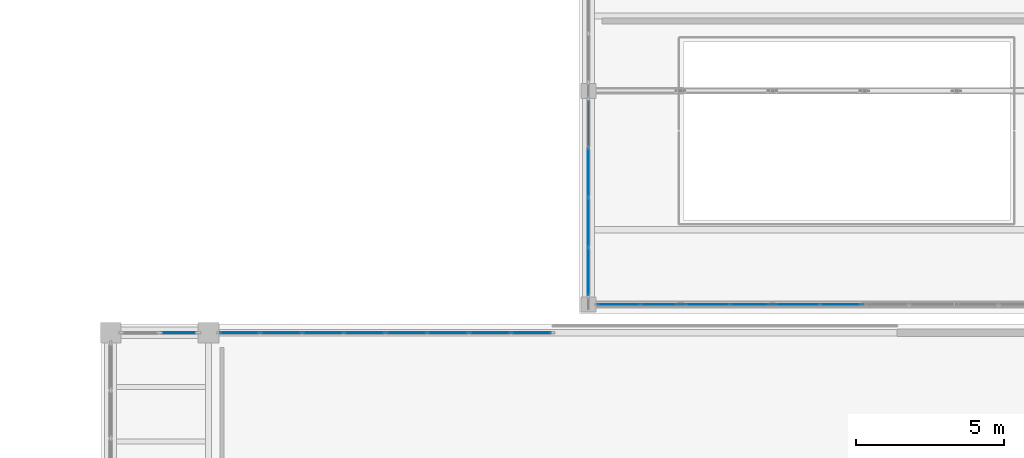
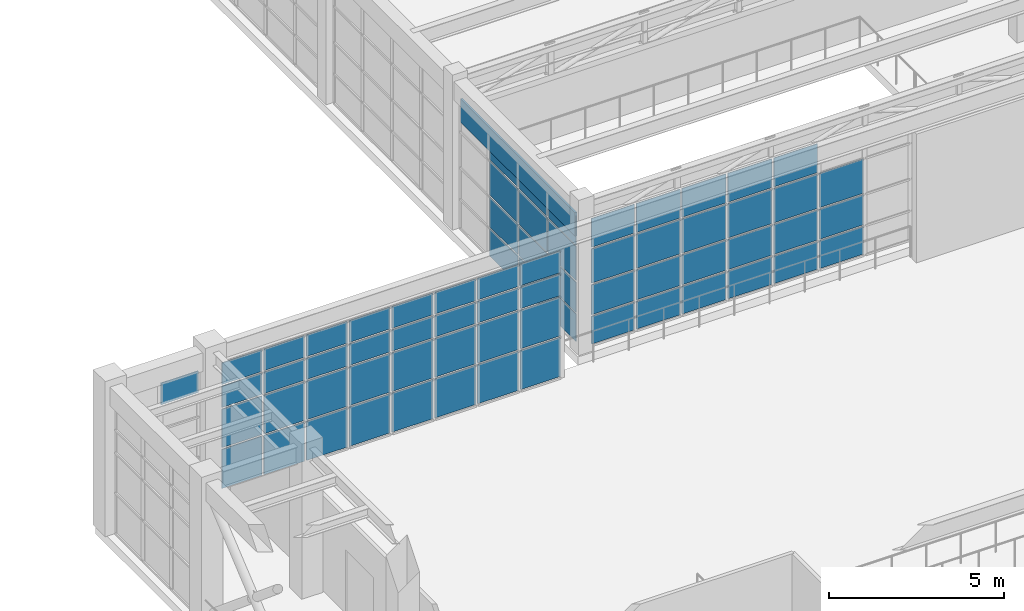
# One storey, part 77 of 103: 69 plates, 4 elements without a shape of their own.
"""IFC4 building model written with IfcOpenShell, lengths in metres."""

import ifcopenshell
import ifcopenshell.guid

model = None  # the IFC model being written
_history = None  # IfcOwnerHistory: only IFC2X3 demands one
_inside = {}  # id of a spatial element -> (the spatial element, [elements in it])
_under = {}  # id of a project, library or spatial element -> (it, [spatial elements below it])
_declared = {}  # id of a project -> (the project, [libraries it declares])
_typed = {}  # id of a type object -> (the type object, [elements of that type])
_made_of = {}  # id of a material, layer set ... -> (it, [elements and type objects made of it])


def new_model(schema):
    """Start an empty IFC model of exactly this schema.

    Asked for "IFC4X3", IfcOpenShell would pick the latest addendum, in which some entities
    have other attributes; the version numbers below select the first issue.
    IFC2X3 requires an IfcOwnerHistory on every rooted entity: one is made here for all.
    """
    global model, _history
    if schema == "IFC4X3":
        model = ifcopenshell.file(schema_version=(4, 3, 0, 0))
    else:
        model = ifcopenshell.file(schema=schema)
    _inside.clear()
    _under.clear()
    _declared.clear()
    _typed.clear()
    _made_of.clear()
    _history = None
    if model.schema == "IFC2X3":
        org = make("IfcOrganization", Name="unknown")
        user = make(
            "IfcPersonAndOrganization",
            ThePerson=make("IfcPerson", FamilyName="unknown"),
            TheOrganization=org,
        )
        app = make(
            "IfcApplication",
            ApplicationDeveloper=org,
            Version="unknown",
            ApplicationFullName="unknown",
            ApplicationIdentifier="unknown",
        )
        _history = make(
            "IfcOwnerHistory",
            OwningUser=user,
            OwningApplication=app,
            ChangeAction="ADDED",
            CreationDate=0,
        )
    return model


def make(cls, **values):
    """One entity of the class cls with the attributes given. An attribute that is None is left unset."""
    return model.create_entity(
        cls, **{name: value for name, value in values.items() if value is not None}
    )


def rooted(cls, **values):
    """An entity with a GlobalId (a new one), such as an element, a storey or a relation."""
    return make(cls, GlobalId=ifcopenshell.guid.new(), OwnerHistory=_history, **values)


def si_unit(unit_type, name, prefix=None):
    """IfcSIUnit, for example si_unit("LENGTHUNIT", "METRE", prefix="MILLI")."""
    return make("IfcSIUnit", UnitType=unit_type, Prefix=prefix, Name=name)


def assignment(units):
    """IfcUnitAssignment: the units of a project."""
    return None if units is None else make("IfcUnitAssignment", Units=units)


def point(xyz):
    """IfcCartesianPoint."""
    return None if xyz is None else make("IfcCartesianPoint", Coordinates=xyz)


def direction(xyz):
    """IfcDirection."""
    return None if xyz is None else make("IfcDirection", DirectionRatios=xyz)


def frame(location, z_axis=None, x_axis=None):
    """IfcAxis2Placement3D, a coordinate frame: its origin and axes. An axis left out is left unset."""
    return make(
        "IfcAxis2Placement3D",
        Location=point(location),
        Axis=direction(z_axis),
        RefDirection=direction(x_axis),
    )


def frame_2d(location, x_axis=None):
    """IfcAxis2Placement2D, a coordinate frame in the plane: its origin and x axis."""
    return make(
        "IfcAxis2Placement2D", Location=point(location), RefDirection=direction(x_axis)
    )


def origin():
    """The frame at (0, 0, 0) with its axes left unset."""
    return frame((0.0, 0.0, 0.0))


def origin_2d():
    """The frame at (0, 0) in the plane with its x axis left unset."""
    return frame_2d((0.0, 0.0))


def place(relative_to, where):
    """IfcLocalPlacement: puts the frame where relative to a parent placement (None: the world)."""
    return make(
        "IfcLocalPlacement", PlacementRelTo=relative_to, RelativePlacement=where
    )


def context(
    kind, dimensions, precision=None, world=None, true_north=None, identifier=None
):
    """IfcGeometricRepresentationContext, for example the 3D "Model" context."""
    return make(
        "IfcGeometricRepresentationContext",
        ContextIdentifier=identifier,
        ContextType=kind,
        CoordinateSpaceDimension=dimensions,
        Precision=precision,
        WorldCoordinateSystem=world,
        TrueNorth=true_north,
    )


def subcontext(parent, identifier, kind, view, scale=None):
    """IfcGeometricRepresentationSubContext, for example "Body" below "Model"."""
    return make(
        "IfcGeometricRepresentationSubContext",
        ContextIdentifier=identifier,
        ContextType=kind,
        ParentContext=parent,
        TargetScale=scale,
        TargetView=view,
    )


def project(units=None, contexts=None):
    """IfcProject with its units and contexts."""
    return rooted(
        "IfcProject",
        Name="project",
        RepresentationContexts=contexts,
        UnitsInContext=assignment(units),
    )


def spatial(cls, under=None, at=None, **own):
    """A site, building, storey or space (cls), placed at a placement, below another one or the project."""
    s = rooted(cls, ObjectPlacement=at, **own)
    if under is not None:
        _under.setdefault(under.id(), (under, []))[1].append(s)
    return s


def profile(cls, at=None, kind="AREA", **sizes):
    """A parametric profile (cls). Its sizes go by their IFC names, for example OverallWidth=200.0."""
    return make(cls, ProfileType=kind, Position=at, **sizes)


def rectangle(**sizes):
    """IfcRectangleProfileDef."""
    return profile("IfcRectangleProfileDef", **sizes)


def extrude(swept, where, along, depth):
    """IfcExtrudedAreaSolid: the profile swept, set in the frame where, extruded along a direction by depth."""
    return make(
        "IfcExtrudedAreaSolid",
        SweptArea=swept,
        Position=where,
        ExtrudedDirection=direction(along),
        Depth=depth,
    )


def shape(context_of_items, identifier, shape_type, items):
    """IfcShapeRepresentation: the items that make up one representation, for example the "Body"."""
    return make(
        "IfcShapeRepresentation",
        ContextOfItems=context_of_items,
        RepresentationIdentifier=identifier,
        RepresentationType=shape_type,
        Items=items,
    )


def material(Name=None, Category=None):
    """IfcMaterial."""
    return make("IfcMaterial", Name=Name, Category=Category)


def layer(
    of_material, thickness, ventilated=None, Name=None, Category=None, Priority=None
):
    """IfcMaterialLayer: one layer of a wall or slab, of a material (None: an air gap)."""
    return make(
        "IfcMaterialLayer",
        Material=of_material,
        LayerThickness=thickness,
        IsVentilated=ventilated,
        Name=Name,
        Category=Category,
        Priority=Priority,
    )


def layer_set(layers, Name=None):
    """IfcMaterialLayerSet."""
    return make("IfcMaterialLayerSet", MaterialLayers=layers, LayerSetName=Name)


def made_of(thing, what):
    """Note that an element or type object is made of a material, layer set ...; save() writes the relation."""
    if what is not None:
        _made_of.setdefault(what.id(), (what, []))[1].append(thing)
    return thing


def type_object(cls, material=None, **own):
    """A type object (cls), such as IfcWallType, which elements share."""
    return made_of(rooted(cls, **own), material)


def element(
    cls,
    number,
    at=None,
    inside=None,
    cuts=None,
    type_object=None,
    material=None,
    context=None,
    identifier="Body",
    shape_type=None,
    held_by="IfcProductDefinitionShape",
    body=None,
    shapes=None,
    **own,
):
    """One element of the class cls, such as IfcWall. Its Tag is "e" and its number.

    at: its placement. inside: the storey or other place that contains it. cuts: it is an
    opening in that element (IfcRelVoidsElement). A single representation is given by context,
    identifier, shape_type and body (its items); several are given by shapes. held_by: the class
    of the entity that holds the representations. save() writes the other relations.
    """
    e = rooted(cls, Tag="e%d" % number, ObjectPlacement=at, **own)
    if body is not None:
        shapes = [shape(context, identifier, shape_type, body)]
    if shapes is not None:
        e.Representation = make(held_by, Representations=shapes)
    if inside is not None:
        _inside.setdefault(inside.id(), (inside, []))[1].append(e)
    if cuts is not None:
        rooted(
            "IfcRelVoidsElement", RelatingBuildingElement=cuts, RelatedOpeningElement=e
        )
    if type_object is not None:
        _typed.setdefault(type_object.id(), (type_object, []))[1].append(e)
    return made_of(e, material)


def aggregate(whole, parts):
    """IfcRelAggregates: a whole, such as a stair, and the parts it consists of."""
    return rooted("IfcRelAggregates", RelatingObject=whole, RelatedObjects=parts)


def save(model, path):
    """Write the relations noted so far, then the file.

    IfcRelAggregates (storeys below a building ...), IfcRelContainedInSpatialStructure (elements
    in a storey), IfcRelDefinesByType, IfcRelAssociatesMaterial and IfcRelDeclares: one each for
    every whole, place, type object, material and project.
    """
    for whole, parts in _under.values():
        aggregate(whole, parts)
    for where, things in _inside.values():
        rooted(
            "IfcRelContainedInSpatialStructure",
            RelatedElements=things,
            RelatingStructure=where,
        )
    for kind, things in _typed.values():
        rooted("IfcRelDefinesByType", RelatedObjects=things, RelatingType=kind)
    for what, things in _made_of.values():
        rooted("IfcRelAssociatesMaterial", RelatedObjects=things, RelatingMaterial=what)
    for by, libraries in _declared.values():
        rooted("IfcRelDeclares", RelatingContext=by, RelatedDefinitions=libraries)
    model.write(path)


model = new_model("IFC4")

# Units and contexts
model_context = context("Model", 3, precision=1e-05, world=origin(), true_north=direction((0.0, 1.0)))
body_context = subcontext(model_context, "Body", "Model", "MODEL_VIEW")
ifc_project = project(units=[si_unit("LENGTHUNIT", "METRE"), si_unit("AREAUNIT", "SQUARE_METRE"), si_unit("VOLUMEUNIT", "CUBIC_METRE"), si_unit("PLANEANGLEUNIT", "RADIAN"), si_unit("MASSUNIT", "GRAM", prefix="KILO")], contexts=[model_context])

# Site, building, storey
site_placement = place(None, origin())
site = spatial("IfcSite", under=ifc_project, at=site_placement, CompositionType="ELEMENT")
building_placement = place(site_placement, origin())
building = spatial("IfcBuilding", under=site, at=building_placement, Name="Candilejo Ridge Gondola Terminal", CompositionType="ELEMENT")
storey_placement = place(building_placement, frame((0.0, 0.0, 9.0)))
storey = spatial("IfcBuildingStorey", under=building, at=storey_placement, Name="L02", CompositionType="ELEMENT", Elevation=9.0)

# Curtain wall, plate
ifc_material_1 = material(Name="Anodised aluminium AA 6063-T6", Category="aluminium")
ifc_layer_1 = layer(ifc_material_1, 0.169921875)
ifc_layer_set_1 = layer_set([ifc_layer_1], Name="ARC-CW-HALL-3800-265X449")
curtain_wall_type_1 = type_object("IfcCurtainWallType", Name="ARC-CW-HALL-3800-265X449", PredefinedType="NOTDEFINED", material=ifc_layer_set_1)
curtain_wall_1_placement = place(storey_placement, origin())
curtain_wall_1 = element("IfcCurtainWall", 1, at=curtain_wall_1_placement, inside=storey, type_object=curtain_wall_type_1, Name="Curtain wall V4 L02-149", PredefinedType="NOTDEFINED")
ifc_material_2 = material(Name="Low-E laminated double glazing 6+12A+6+1.52PVB+6 mm", Category="glass")
ifc_layer_2 = layer(ifc_material_2, 0.028076171875)
ifc_layer_set_2 = layer_set([ifc_layer_2], Name="ARC-CW-GLAZ-PANEL")
plate_type_1 = type_object("IfcPlateType", Name="ARC-CW-GLAZ-PANEL", PredefinedType="CURTAIN_PANEL", material=ifc_layer_set_2)
plate_1_placement = place(storey_placement, frame((136.1962890625, 47.699951171875, 3.679931640625), z_axis=(0.0, 0.0, 1.0), x_axis=(1.0, 0.0, 0.0)))
plate_1 = element("IfcPlate", 2, at=plate_1_placement, type_object=plate_type_1, Name="CW-26X44 panel 2.4", PredefinedType="CURTAIN_PANEL", context=body_context, shape_type="SweptSolid", body=[
    extrude(rectangle(XDim=1.2275390625, YDim=0.028076171875, at=origin_2d()), origin(), (0.0, 0.0, 1.0), 0.75),
])
aggregate(curtain_wall_1, [plate_1])

# Curtain wall, plates
ifc_material_3 = material(Name="Anodised aluminium AA 6063-T6", Category="aluminium")
ifc_layer_3 = layer(ifc_material_3, 0.169921875)
ifc_layer_set_3 = layer_set([ifc_layer_3], Name="ARC-CW-HALL-3800-1128X449")
curtain_wall_type_2 = type_object("IfcCurtainWallType", Name="ARC-CW-HALL-3800-1128X449", PredefinedType="NOTDEFINED", material=ifc_layer_set_3)
curtain_wall_2_placement = place(storey_placement, origin())
curtain_wall_2 = element("IfcCurtainWall", 3, at=curtain_wall_2_placement, inside=storey, type_object=curtain_wall_type_2, Name="Curtain wall V4 L02-151", PredefinedType="NOTDEFINED")
plate_2_placement = place(storey_placement, frame((138.245849609375, 47.699951171875, 0.06005859375), z_axis=(0.0, 0.0, 1.0), x_axis=(1.0, 0.0, 0.0)))
plate_2 = element("IfcPlate", 4, at=plate_2_placement, type_object=plate_type_1, Name="CW-112X44 panel 1.1", PredefinedType="CURTAIN_PANEL", context=body_context, shape_type="SweptSolid", body=[
    extrude(rectangle(XDim=1.311767578125, YDim=0.028076171875, at=origin_2d()), origin(), (0.0, 0.0, 1.0), 1.360107421875),
])
plate_3_placement = place(storey_placement, frame((138.245849609375, 47.699951171875, 1.47998046875), z_axis=(0.0, 0.0, 1.0), x_axis=(1.0, 0.0, 0.0)))
plate_3 = element("IfcPlate", 5, at=plate_3_placement, type_object=plate_type_1, Name="CW-112X44 panel 1.2", PredefinedType="CURTAIN_PANEL", context=body_context, shape_type="SweptSolid", body=[
    extrude(rectangle(XDim=1.311767578125, YDim=0.028076171875, at=origin_2d()), origin(), (0.0, 0.0, 1.0), 1.340087890625),
])
plate_4_placement = place(storey_placement, frame((138.245849609375, 47.699951171875, 2.8798828125), z_axis=(0.0, 0.0, 1.0), x_axis=(1.0, 0.0, 0.0)))
plate_4 = element("IfcPlate", 6, at=plate_4_placement, type_object=plate_type_1, Name="CW-112X44 panel 1.3", PredefinedType="CURTAIN_PANEL", context=body_context, shape_type="SweptSolid", body=[
    extrude(rectangle(XDim=1.311767578125, YDim=0.028076171875, at=origin_2d()), origin(), (0.0, 0.0, 1.0), 0.739990234375),
])
plate_5_placement = place(storey_placement, frame((138.245849609375, 47.699951171875, 3.679931640625), z_axis=(0.0, 0.0, 1.0), x_axis=(1.0, 0.0, 0.0)))
plate_5 = element("IfcPlate", 7, at=plate_5_placement, type_object=plate_type_1, Name="CW-112X44 panel 1.4", PredefinedType="CURTAIN_PANEL", context=body_context, shape_type="SweptSolid", body=[
    extrude(rectangle(XDim=1.311767578125, YDim=0.028076171875, at=origin_2d()), origin(), (0.0, 0.0, 1.0), 0.75),
])
plate_6_placement = place(storey_placement, frame((139.63916015625, 47.699951171875, 0.06005859375), z_axis=(0.0, 0.0, 1.0), x_axis=(1.0, 0.0, 0.0)))
plate_6 = element("IfcPlate", 8, at=plate_6_placement, type_object=plate_type_1, Name="CW-112X44 panel 2.1", PredefinedType="CURTAIN_PANEL", context=body_context, shape_type="SweptSolid", body=[
    extrude(rectangle(XDim=1.344482421875, YDim=0.028076171875, at=origin_2d()), origin(), (0.0, 0.0, 1.0), 1.360107421875),
])
plate_7_placement = place(storey_placement, frame((139.63916015625, 47.699951171875, 1.47998046875), z_axis=(0.0, 0.0, 1.0), x_axis=(1.0, 0.0, 0.0)))
plate_7 = element("IfcPlate", 9, at=plate_7_placement, type_object=plate_type_1, Name="CW-112X44 panel 2.2", PredefinedType="CURTAIN_PANEL", context=body_context, shape_type="SweptSolid", body=[
    extrude(rectangle(XDim=1.344482421875, YDim=0.028076171875, at=origin_2d()), origin(), (0.0, 0.0, 1.0), 1.340087890625),
])
plate_8_placement = place(storey_placement, frame((139.63916015625, 47.699951171875, 2.8798828125), z_axis=(0.0, 0.0, 1.0), x_axis=(1.0, 0.0, 0.0)))
plate_8 = element("IfcPlate", 10, at=plate_8_placement, type_object=plate_type_1, Name="CW-112X44 panel 2.3", PredefinedType="CURTAIN_PANEL", context=body_context, shape_type="SweptSolid", body=[
    extrude(rectangle(XDim=1.344482421875, YDim=0.028076171875, at=origin_2d()), origin(), (0.0, 0.0, 1.0), 0.739990234375),
])
plate_9_placement = place(storey_placement, frame((139.63916015625, 47.699951171875, 3.679931640625), z_axis=(0.0, 0.0, 1.0), x_axis=(1.0, 0.0, 0.0)))
plate_9 = element("IfcPlate", 11, at=plate_9_placement, type_object=plate_type_1, Name="CW-112X44 panel 2.4", PredefinedType="CURTAIN_PANEL", context=body_context, shape_type="SweptSolid", body=[
    extrude(rectangle(XDim=1.344482421875, YDim=0.028076171875, at=origin_2d()), origin(), (0.0, 0.0, 1.0), 0.75),
])
plate_10_placement = place(storey_placement, frame((141.04833984375, 47.699951171875, 0.06005859375), z_axis=(0.0, 0.0, 1.0), x_axis=(1.0, 0.0, 0.0)))
plate_10 = element("IfcPlate", 12, at=plate_10_placement, type_object=plate_type_1, Name="CW-112X44 panel 3.1", PredefinedType="CURTAIN_PANEL", context=body_context, shape_type="SweptSolid", body=[
    extrude(rectangle(XDim=1.344482421875, YDim=0.028076171875, at=origin_2d()), origin(), (0.0, 0.0, 1.0), 1.360107421875),
])
plate_11_placement = place(storey_placement, frame((141.04833984375, 47.699951171875, 1.47998046875), z_axis=(0.0, 0.0, 1.0), x_axis=(1.0, 0.0, 0.0)))
plate_11 = element("IfcPlate", 13, at=plate_11_placement, type_object=plate_type_1, Name="CW-112X44 panel 3.2", PredefinedType="CURTAIN_PANEL", context=body_context, shape_type="SweptSolid", body=[
    extrude(rectangle(XDim=1.344482421875, YDim=0.028076171875, at=origin_2d()), origin(), (0.0, 0.0, 1.0), 1.340087890625),
])
plate_12_placement = place(storey_placement, frame((141.04833984375, 47.699951171875, 2.8798828125), z_axis=(0.0, 0.0, 1.0), x_axis=(1.0, 0.0, 0.0)))
plate_12 = element("IfcPlate", 14, at=plate_12_placement, type_object=plate_type_1, Name="CW-112X44 panel 3.3", PredefinedType="CURTAIN_PANEL", context=body_context, shape_type="SweptSolid", body=[
    extrude(rectangle(XDim=1.344482421875, YDim=0.028076171875, at=origin_2d()), origin(), (0.0, 0.0, 1.0), 0.739990234375),
])
plate_13_placement = place(storey_placement, frame((141.04833984375, 47.699951171875, 3.679931640625), z_axis=(0.0, 0.0, 1.0), x_axis=(1.0, 0.0, 0.0)))
plate_13 = element("IfcPlate", 15, at=plate_13_placement, type_object=plate_type_1, Name="CW-112X44 panel 3.4", PredefinedType="CURTAIN_PANEL", context=body_context, shape_type="SweptSolid", body=[
    extrude(rectangle(XDim=1.344482421875, YDim=0.028076171875, at=origin_2d()), origin(), (0.0, 0.0, 1.0), 0.75),
])
plate_14_placement = place(storey_placement, frame((142.457763671875, 47.699951171875, 0.06005859375), z_axis=(0.0, 0.0, 1.0), x_axis=(1.0, 0.0, 0.0)))
plate_14 = element("IfcPlate", 16, at=plate_14_placement, type_object=plate_type_1, Name="CW-112X44 panel 4.1", PredefinedType="CURTAIN_PANEL", context=body_context, shape_type="SweptSolid", body=[
    extrude(rectangle(XDim=1.344482421875, YDim=0.028076171875, at=origin_2d()), origin(), (0.0, 0.0, 1.0), 1.360107421875),
])
plate_15_placement = place(storey_placement, frame((142.457763671875, 47.699951171875, 1.47998046875), z_axis=(0.0, 0.0, 1.0), x_axis=(1.0, 0.0, 0.0)))
plate_15 = element("IfcPlate", 17, at=plate_15_placement, type_object=plate_type_1, Name="CW-112X44 panel 4.2", PredefinedType="CURTAIN_PANEL", context=body_context, shape_type="SweptSolid", body=[
    extrude(rectangle(XDim=1.344482421875, YDim=0.028076171875, at=origin_2d()), origin(), (0.0, 0.0, 1.0), 1.340087890625),
])
plate_16_placement = place(storey_placement, frame((142.457763671875, 47.699951171875, 2.8798828125), z_axis=(0.0, 0.0, 1.0), x_axis=(1.0, 0.0, 0.0)))
plate_16 = element("IfcPlate", 18, at=plate_16_placement, type_object=plate_type_1, Name="CW-112X44 panel 4.3", PredefinedType="CURTAIN_PANEL", context=body_context, shape_type="SweptSolid", body=[
    extrude(rectangle(XDim=1.344482421875, YDim=0.028076171875, at=origin_2d()), origin(), (0.0, 0.0, 1.0), 0.739990234375),
])
plate_17_placement = place(storey_placement, frame((142.457763671875, 47.699951171875, 3.679931640625), z_axis=(0.0, 0.0, 1.0), x_axis=(1.0, 0.0, 0.0)))
plate_17 = element("IfcPlate", 19, at=plate_17_placement, type_object=plate_type_1, Name="CW-112X44 panel 4.4", PredefinedType="CURTAIN_PANEL", context=body_context, shape_type="SweptSolid", body=[
    extrude(rectangle(XDim=1.344482421875, YDim=0.028076171875, at=origin_2d()), origin(), (0.0, 0.0, 1.0), 0.75),
])
plate_18_placement = place(storey_placement, frame((143.8671875, 47.699951171875, 0.06005859375), z_axis=(0.0, 0.0, 1.0), x_axis=(1.0, 0.0, 0.0)))
plate_18 = element("IfcPlate", 20, at=plate_18_placement, type_object=plate_type_1, Name="CW-112X44 panel 5.1", PredefinedType="CURTAIN_PANEL", context=body_context, shape_type="SweptSolid", body=[
    extrude(rectangle(XDim=1.344482421875, YDim=0.028076171875, at=origin_2d()), origin(), (0.0, 0.0, 1.0), 1.360107421875),
])
plate_19_placement = place(storey_placement, frame((143.8671875, 47.699951171875, 1.47998046875), z_axis=(0.0, 0.0, 1.0), x_axis=(1.0, 0.0, 0.0)))
plate_19 = element("IfcPlate", 21, at=plate_19_placement, type_object=plate_type_1, Name="CW-112X44 panel 5.2", PredefinedType="CURTAIN_PANEL", context=body_context, shape_type="SweptSolid", body=[
    extrude(rectangle(XDim=1.344482421875, YDim=0.028076171875, at=origin_2d()), origin(), (0.0, 0.0, 1.0), 1.340087890625),
])
plate_20_placement = place(storey_placement, frame((143.8671875, 47.699951171875, 2.8798828125), z_axis=(0.0, 0.0, 1.0), x_axis=(1.0, 0.0, 0.0)))
plate_20 = element("IfcPlate", 22, at=plate_20_placement, type_object=plate_type_1, Name="CW-112X44 panel 5.3", PredefinedType="CURTAIN_PANEL", context=body_context, shape_type="SweptSolid", body=[
    extrude(rectangle(XDim=1.344482421875, YDim=0.028076171875, at=origin_2d()), origin(), (0.0, 0.0, 1.0), 0.739990234375),
])
plate_21_placement = place(storey_placement, frame((143.8671875, 47.699951171875, 3.679931640625), z_axis=(0.0, 0.0, 1.0), x_axis=(1.0, 0.0, 0.0)))
plate_21 = element("IfcPlate", 23, at=plate_21_placement, type_object=plate_type_1, Name="CW-112X44 panel 5.4", PredefinedType="CURTAIN_PANEL", context=body_context, shape_type="SweptSolid", body=[
    extrude(rectangle(XDim=1.344482421875, YDim=0.028076171875, at=origin_2d()), origin(), (0.0, 0.0, 1.0), 0.75),
])
plate_22_placement = place(storey_placement, frame((145.276611328125, 47.699951171875, 0.06005859375), z_axis=(0.0, 0.0, 1.0), x_axis=(1.0, 0.0, 0.0)))
plate_22 = element("IfcPlate", 24, at=plate_22_placement, type_object=plate_type_1, Name="CW-112X44 panel 6.1", PredefinedType="CURTAIN_PANEL", context=body_context, shape_type="SweptSolid", body=[
    extrude(rectangle(XDim=1.344482421875, YDim=0.028076171875, at=origin_2d()), origin(), (0.0, 0.0, 1.0), 1.360107421875),
])
plate_23_placement = place(storey_placement, frame((145.276611328125, 47.699951171875, 1.47998046875), z_axis=(0.0, 0.0, 1.0), x_axis=(1.0, 0.0, 0.0)))
plate_23 = element("IfcPlate", 25, at=plate_23_placement, type_object=plate_type_1, Name="CW-112X44 panel 6.2", PredefinedType="CURTAIN_PANEL", context=body_context, shape_type="SweptSolid", body=[
    extrude(rectangle(XDim=1.344482421875, YDim=0.028076171875, at=origin_2d()), origin(), (0.0, 0.0, 1.0), 1.340087890625),
])
plate_24_placement = place(storey_placement, frame((145.276611328125, 47.699951171875, 2.8798828125), z_axis=(0.0, 0.0, 1.0), x_axis=(1.0, 0.0, 0.0)))
plate_24 = element("IfcPlate", 26, at=plate_24_placement, type_object=plate_type_1, Name="CW-112X44 panel 6.3", PredefinedType="CURTAIN_PANEL", context=body_context, shape_type="SweptSolid", body=[
    extrude(rectangle(XDim=1.344482421875, YDim=0.028076171875, at=origin_2d()), origin(), (0.0, 0.0, 1.0), 0.739990234375),
])
plate_25_placement = place(storey_placement, frame((145.276611328125, 47.699951171875, 3.679931640625), z_axis=(0.0, 0.0, 1.0), x_axis=(1.0, 0.0, 0.0)))
plate_25 = element("IfcPlate", 27, at=plate_25_placement, type_object=plate_type_1, Name="CW-112X44 panel 6.4", PredefinedType="CURTAIN_PANEL", context=body_context, shape_type="SweptSolid", body=[
    extrude(rectangle(XDim=1.344482421875, YDim=0.028076171875, at=origin_2d()), origin(), (0.0, 0.0, 1.0), 0.75),
])
plate_26_placement = place(storey_placement, frame((146.68603515625, 47.699951171875, 0.06005859375), z_axis=(0.0, 0.0, 1.0), x_axis=(1.0, 0.0, 0.0)))
plate_26 = element("IfcPlate", 28, at=plate_26_placement, type_object=plate_type_1, Name="CW-112X44 panel 7.1", PredefinedType="CURTAIN_PANEL", context=body_context, shape_type="SweptSolid", body=[
    extrude(rectangle(XDim=1.344482421875, YDim=0.028076171875, at=origin_2d()), origin(), (0.0, 0.0, 1.0), 1.360107421875),
])
plate_27_placement = place(storey_placement, frame((146.68603515625, 47.699951171875, 1.47998046875), z_axis=(0.0, 0.0, 1.0), x_axis=(1.0, 0.0, 0.0)))
plate_27 = element("IfcPlate", 29, at=plate_27_placement, type_object=plate_type_1, Name="CW-112X44 panel 7.2", PredefinedType="CURTAIN_PANEL", context=body_context, shape_type="SweptSolid", body=[
    extrude(rectangle(XDim=1.344482421875, YDim=0.028076171875, at=origin_2d()), origin(), (0.0, 0.0, 1.0), 1.340087890625),
])
plate_28_placement = place(storey_placement, frame((146.68603515625, 47.699951171875, 2.8798828125), z_axis=(0.0, 0.0, 1.0), x_axis=(1.0, 0.0, 0.0)))
plate_28 = element("IfcPlate", 30, at=plate_28_placement, type_object=plate_type_1, Name="CW-112X44 panel 7.3", PredefinedType="CURTAIN_PANEL", context=body_context, shape_type="SweptSolid", body=[
    extrude(rectangle(XDim=1.344482421875, YDim=0.028076171875, at=origin_2d()), origin(), (0.0, 0.0, 1.0), 0.739990234375),
])
plate_29_placement = place(storey_placement, frame((146.68603515625, 47.699951171875, 3.679931640625), z_axis=(0.0, 0.0, 1.0), x_axis=(1.0, 0.0, 0.0)))
plate_29 = element("IfcPlate", 31, at=plate_29_placement, type_object=plate_type_1, Name="CW-112X44 panel 7.4", PredefinedType="CURTAIN_PANEL", context=body_context, shape_type="SweptSolid", body=[
    extrude(rectangle(XDim=1.344482421875, YDim=0.028076171875, at=origin_2d()), origin(), (0.0, 0.0, 1.0), 0.75),
])
plate_30_placement = place(storey_placement, frame((148.0791015625, 47.699951171875, 0.06005859375), z_axis=(0.0, 0.0, 1.0), x_axis=(1.0, 0.0, 0.0)))
plate_30 = element("IfcPlate", 32, at=plate_30_placement, type_object=plate_type_1, Name="CW-112X44 panel 8.1", PredefinedType="CURTAIN_PANEL", context=body_context, shape_type="SweptSolid", body=[
    extrude(rectangle(XDim=1.311767578125, YDim=0.028076171875, at=origin_2d()), origin(), (0.0, 0.0, 1.0), 1.360107421875),
])
plate_31_placement = place(storey_placement, frame((148.0791015625, 47.699951171875, 1.47998046875), z_axis=(0.0, 0.0, 1.0), x_axis=(1.0, 0.0, 0.0)))
plate_31 = element("IfcPlate", 33, at=plate_31_placement, type_object=plate_type_1, Name="CW-112X44 panel 8.2", PredefinedType="CURTAIN_PANEL", context=body_context, shape_type="SweptSolid", body=[
    extrude(rectangle(XDim=1.311767578125, YDim=0.028076171875, at=origin_2d()), origin(), (0.0, 0.0, 1.0), 1.340087890625),
])
plate_32_placement = place(storey_placement, frame((148.0791015625, 47.699951171875, 2.8798828125), z_axis=(0.0, 0.0, 1.0), x_axis=(1.0, 0.0, 0.0)))
plate_32 = element("IfcPlate", 34, at=plate_32_placement, type_object=plate_type_1, Name="CW-112X44 panel 8.3", PredefinedType="CURTAIN_PANEL", context=body_context, shape_type="SweptSolid", body=[
    extrude(rectangle(XDim=1.311767578125, YDim=0.028076171875, at=origin_2d()), origin(), (0.0, 0.0, 1.0), 0.739990234375),
])
plate_33_placement = place(storey_placement, frame((148.0791015625, 47.699951171875, 3.679931640625), z_axis=(0.0, 0.0, 1.0), x_axis=(1.0, 0.0, 0.0)))
plate_33 = element("IfcPlate", 35, at=plate_33_placement, type_object=plate_type_1, Name="CW-112X44 panel 8.4", PredefinedType="CURTAIN_PANEL", context=body_context, shape_type="SweptSolid", body=[
    extrude(rectangle(XDim=1.311767578125, YDim=0.028076171875, at=origin_2d()), origin(), (0.0, 0.0, 1.0), 0.75),
])
aggregate(curtain_wall_2, [plate_2, plate_3, plate_4, plate_5, plate_6, plate_7, plate_8, plate_9, plate_10, plate_11, plate_12, plate_13, plate_14, plate_15, plate_16, plate_17, plate_18, plate_19, plate_20, plate_21, plate_22, plate_23, plate_24, plate_25, plate_26, plate_27, plate_28, plate_29, plate_30, plate_31, plate_32, plate_33])

ifc_material_4 = material(Name="Anodised aluminium AA 6063-T6", Category="aluminium")
ifc_layer_4 = layer(ifc_material_4, 0.169921875)
ifc_layer_set_4 = layer_set([ifc_layer_4], Name="ARC-CW-TOWER-3000-670X449")
curtain_wall_type_3 = type_object("IfcCurtainWallType", Name="ARC-CW-TOWER-3000-670X449", PredefinedType="NOTDEFINED", material=ifc_layer_set_4)
curtain_wall_3_placement = place(storey_placement, origin())
curtain_wall_3 = element("IfcCurtainWall", 36, at=curtain_wall_3_placement, inside=storey, type_object=curtain_wall_type_3, Name="Curtain wall V5 L02-174", PredefinedType="NOTDEFINED")
plate_34_placement = place(storey_placement, frame((150.0, 49.753662109375, 0.06005859375), z_axis=(0.0, 0.0, 1.0), x_axis=(0.0, 1.0, 0.0)))
plate_34 = element("IfcPlate", 37, at=plate_34_placement, type_object=plate_type_1, Name="CW-67X44 panel 1.1", PredefinedType="CURTAIN_PANEL", context=body_context, shape_type="SweptSolid", body=[
    extrude(rectangle(XDim=1.577392578125, YDim=0.028076171875, at=origin_2d()), origin(), (0.0, 0.0, 1.0), 0.9599609375),
])
plate_35_placement = place(storey_placement, frame((150.0, 49.753662109375, 1.080078125), z_axis=(0.0, 0.0, 1.0), x_axis=(0.0, 1.0, 0.0)))
plate_35 = element("IfcPlate", 38, at=plate_35_placement, type_object=plate_type_1, Name="CW-67X44 panel 1.2", PredefinedType="CURTAIN_PANEL", context=body_context, shape_type="SweptSolid", body=[
    extrude(rectangle(XDim=1.577392578125, YDim=0.028076171875, at=origin_2d()), origin(), (0.0, 0.0, 1.0), 1.0400390625),
])
plate_36_placement = place(storey_placement, frame((150.0, 49.753662109375, 2.179931640625), z_axis=(0.0, 0.0, 1.0), x_axis=(0.0, 1.0, 0.0)))
plate_36 = element("IfcPlate", 39, at=plate_36_placement, type_object=plate_type_1, Name="CW-67X44 panel 1.3", PredefinedType="CURTAIN_PANEL", context=body_context, shape_type="SweptSolid", body=[
    extrude(rectangle(XDim=1.577392578125, YDim=0.028076171875, at=origin_2d()), origin(), (0.0, 0.0, 1.0), 1.18994140625),
])
plate_37_placement = place(storey_placement, frame((150.0, 49.753662109375, 3.429931640625), z_axis=(0.0, 0.0, 1.0), x_axis=(0.0, 1.0, 0.0)))
plate_37 = element("IfcPlate", 40, at=plate_37_placement, type_object=plate_type_1, Name="CW-67X44 panel 1.4", PredefinedType="CURTAIN_PANEL", context=body_context, shape_type="SweptSolid", body=[
    extrude(rectangle(XDim=1.577392578125, YDim=0.028076171875, at=origin_2d()), origin(), (0.0, 0.0, 1.0), 1.0),
])
plate_38_placement = place(storey_placement, frame((150.0, 51.41259765625, 0.06005859375), z_axis=(0.0, 0.0, 1.0), x_axis=(0.0, 1.0, 0.0)))
plate_38 = element("IfcPlate", 41, at=plate_38_placement, type_object=plate_type_1, Name="CW-67X44 panel 2.1", PredefinedType="CURTAIN_PANEL", context=body_context, shape_type="SweptSolid", body=[
    extrude(rectangle(XDim=1.610107421875, YDim=0.028076171875, at=origin_2d()), origin(), (0.0, 0.0, 1.0), 0.9599609375),
])
plate_39_placement = place(storey_placement, frame((150.0, 51.41259765625, 1.080078125), z_axis=(0.0, 0.0, 1.0), x_axis=(0.0, 1.0, 0.0)))
plate_39 = element("IfcPlate", 42, at=plate_39_placement, type_object=plate_type_1, Name="CW-67X44 panel 2.2", PredefinedType="CURTAIN_PANEL", context=body_context, shape_type="SweptSolid", body=[
    extrude(rectangle(XDim=1.610107421875, YDim=0.028076171875, at=origin_2d()), origin(), (0.0, 0.0, 1.0), 1.0400390625),
])
plate_40_placement = place(storey_placement, frame((150.0, 51.41259765625, 2.179931640625), z_axis=(0.0, 0.0, 1.0), x_axis=(0.0, 1.0, 0.0)))
plate_40 = element("IfcPlate", 43, at=plate_40_placement, type_object=plate_type_1, Name="CW-67X44 panel 2.3", PredefinedType="CURTAIN_PANEL", context=body_context, shape_type="SweptSolid", body=[
    extrude(rectangle(XDim=1.610107421875, YDim=0.028076171875, at=origin_2d()), origin(), (0.0, 0.0, 1.0), 1.18994140625),
])
plate_41_placement = place(storey_placement, frame((150.0, 51.41259765625, 3.429931640625), z_axis=(0.0, 0.0, 1.0), x_axis=(0.0, 1.0, 0.0)))
plate_41 = element("IfcPlate", 44, at=plate_41_placement, type_object=plate_type_1, Name="CW-67X44 panel 2.4", PredefinedType="CURTAIN_PANEL", context=body_context, shape_type="SweptSolid", body=[
    extrude(rectangle(XDim=1.610107421875, YDim=0.028076171875, at=origin_2d()), origin(), (0.0, 0.0, 1.0), 1.0),
])
plate_42_placement = place(storey_placement, frame((150.0, 53.08740234375, 0.06005859375), z_axis=(0.0, 0.0, 1.0), x_axis=(0.0, 1.0, 0.0)))
plate_42 = element("IfcPlate", 45, at=plate_42_placement, type_object=plate_type_1, Name="CW-67X44 panel 3.1", PredefinedType="CURTAIN_PANEL", context=body_context, shape_type="SweptSolid", body=[
    extrude(rectangle(XDim=1.610107421875, YDim=0.028076171875, at=origin_2d()), origin(), (0.0, 0.0, 1.0), 0.9599609375),
])
plate_43_placement = place(storey_placement, frame((150.0, 53.08740234375, 1.080078125), z_axis=(0.0, 0.0, 1.0), x_axis=(0.0, 1.0, 0.0)))
plate_43 = element("IfcPlate", 46, at=plate_43_placement, type_object=plate_type_1, Name="CW-67X44 panel 3.2", PredefinedType="CURTAIN_PANEL", context=body_context, shape_type="SweptSolid", body=[
    extrude(rectangle(XDim=1.610107421875, YDim=0.028076171875, at=origin_2d()), origin(), (0.0, 0.0, 1.0), 1.0400390625),
])
plate_44_placement = place(storey_placement, frame((150.0, 53.08740234375, 2.179931640625), z_axis=(0.0, 0.0, 1.0), x_axis=(0.0, 1.0, 0.0)))
plate_44 = element("IfcPlate", 47, at=plate_44_placement, type_object=plate_type_1, Name="CW-67X44 panel 3.3", PredefinedType="CURTAIN_PANEL", context=body_context, shape_type="SweptSolid", body=[
    extrude(rectangle(XDim=1.610107421875, YDim=0.028076171875, at=origin_2d()), origin(), (0.0, 0.0, 1.0), 1.18994140625),
])
plate_45_placement = place(storey_placement, frame((150.0, 53.08740234375, 3.429931640625), z_axis=(0.0, 0.0, 1.0), x_axis=(0.0, 1.0, 0.0)))
plate_45 = element("IfcPlate", 48, at=plate_45_placement, type_object=plate_type_1, Name="CW-67X44 panel 3.4", PredefinedType="CURTAIN_PANEL", context=body_context, shape_type="SweptSolid", body=[
    extrude(rectangle(XDim=1.610107421875, YDim=0.028076171875, at=origin_2d()), origin(), (0.0, 0.0, 1.0), 1.0),
])
aggregate(curtain_wall_3, [plate_34, plate_35, plate_36, plate_37, plate_38, plate_39, plate_40, plate_41, plate_42, plate_43, plate_44, plate_45])

ifc_material_5 = material(Name="Anodised aluminium AA 6063-T6", Category="aluminium")
ifc_layer_5 = layer(ifc_material_5, 0.169921875)
ifc_layer_set_5 = layer_set([ifc_layer_5], Name="ARC-CW-TOWER-3000-1810X449")
curtain_wall_type_4 = type_object("IfcCurtainWallType", Name="ARC-CW-TOWER-3000-1810X449", PredefinedType="NOTDEFINED", material=ifc_layer_set_5)
curtain_wall_4_placement = place(storey_placement, origin())
curtain_wall_4 = element("IfcCurtainWall", 49, at=curtain_wall_4_placement, inside=storey, type_object=curtain_wall_type_4, Name="Curtain wall V5 L02-192", PredefinedType="NOTDEFINED")
plate_46_placement = place(storey_placement, frame((151.0205078125, 48.64990234375, 0.06005859375), z_axis=(0.0, 0.0, 1.0), x_axis=(1.0, 0.0, 0.0)))
plate_46 = element("IfcPlate", 50, at=plate_46_placement, type_object=plate_type_1, Name="CW-181X44 panel 1.1", PredefinedType="CURTAIN_PANEL", context=body_context, shape_type="SweptSolid", body=[
    extrude(rectangle(XDim=1.410888671875, YDim=0.028076171875, at=origin_2d()), origin(), (0.0, 0.0, 1.0), 0.9599609375),
])
plate_47_placement = place(storey_placement, frame((151.0205078125, 48.64990234375, 1.080078125), z_axis=(0.0, 0.0, 1.0), x_axis=(1.0, 0.0, 0.0)))
plate_47 = element("IfcPlate", 51, at=plate_47_placement, type_object=plate_type_1, Name="CW-181X44 panel 1.2", PredefinedType="CURTAIN_PANEL", context=body_context, shape_type="SweptSolid", body=[
    extrude(rectangle(XDim=1.410888671875, YDim=0.028076171875, at=origin_2d()), origin(), (0.0, 0.0, 1.0), 1.0400390625),
])
plate_48_placement = place(storey_placement, frame((151.0205078125, 48.64990234375, 2.179931640625), z_axis=(0.0, 0.0, 1.0), x_axis=(1.0, 0.0, 0.0)))
plate_48 = element("IfcPlate", 52, at=plate_48_placement, type_object=plate_type_1, Name="CW-181X44 panel 1.3", PredefinedType="CURTAIN_PANEL", context=body_context, shape_type="SweptSolid", body=[
    extrude(rectangle(XDim=1.410888671875, YDim=0.028076171875, at=origin_2d()), origin(), (0.0, 0.0, 1.0), 1.18994140625),
])
plate_49_placement = place(storey_placement, frame((151.0205078125, 48.64990234375, 3.429931640625), z_axis=(0.0, 0.0, 1.0), x_axis=(1.0, 0.0, 0.0)))
plate_49 = element("IfcPlate", 53, at=plate_49_placement, type_object=plate_type_1, Name="CW-181X44 panel 1.4", PredefinedType="CURTAIN_PANEL", context=body_context, shape_type="SweptSolid", body=[
    extrude(rectangle(XDim=1.410888671875, YDim=0.028076171875, at=origin_2d()), origin(), (0.0, 0.0, 1.0), 1.0),
])
plate_50_placement = place(storey_placement, frame((152.512451171875, 48.64990234375, 0.06005859375), z_axis=(0.0, 0.0, 1.0), x_axis=(1.0, 0.0, 0.0)))
plate_50 = element("IfcPlate", 54, at=plate_50_placement, type_object=plate_type_1, Name="CW-181X44 panel 2.1", PredefinedType="CURTAIN_PANEL", context=body_context, shape_type="SweptSolid", body=[
    extrude(rectangle(XDim=1.443359375, YDim=0.028076171875, at=origin_2d()), origin(), (0.0, 0.0, 1.0), 0.9599609375),
])
plate_51_placement = place(storey_placement, frame((152.512451171875, 48.64990234375, 1.080078125), z_axis=(0.0, 0.0, 1.0), x_axis=(1.0, 0.0, 0.0)))
plate_51 = element("IfcPlate", 55, at=plate_51_placement, type_object=plate_type_1, Name="CW-181X44 panel 2.2", PredefinedType="CURTAIN_PANEL", context=body_context, shape_type="SweptSolid", body=[
    extrude(rectangle(XDim=1.443359375, YDim=0.028076171875, at=origin_2d()), origin(), (0.0, 0.0, 1.0), 1.0400390625),
])
plate_52_placement = place(storey_placement, frame((152.512451171875, 48.64990234375, 2.179931640625), z_axis=(0.0, 0.0, 1.0), x_axis=(1.0, 0.0, 0.0)))
plate_52 = element("IfcPlate", 56, at=plate_52_placement, type_object=plate_type_1, Name="CW-181X44 panel 2.3", PredefinedType="CURTAIN_PANEL", context=body_context, shape_type="SweptSolid", body=[
    extrude(rectangle(XDim=1.443359375, YDim=0.028076171875, at=origin_2d()), origin(), (0.0, 0.0, 1.0), 1.18994140625),
])
plate_53_placement = place(storey_placement, frame((152.512451171875, 48.64990234375, 3.429931640625), z_axis=(0.0, 0.0, 1.0), x_axis=(1.0, 0.0, 0.0)))
plate_53 = element("IfcPlate", 57, at=plate_53_placement, type_object=plate_type_1, Name="CW-181X44 panel 2.4", PredefinedType="CURTAIN_PANEL", context=body_context, shape_type="SweptSolid", body=[
    extrude(rectangle(XDim=1.443359375, YDim=0.028076171875, at=origin_2d()), origin(), (0.0, 0.0, 1.0), 1.0),
])
plate_54_placement = place(storey_placement, frame((154.020751953125, 48.64990234375, 0.06005859375), z_axis=(0.0, 0.0, 1.0), x_axis=(1.0, 0.0, 0.0)))
plate_54 = element("IfcPlate", 58, at=plate_54_placement, type_object=plate_type_1, Name="CW-181X44 panel 3.1", PredefinedType="CURTAIN_PANEL", context=body_context, shape_type="SweptSolid", body=[
    extrude(rectangle(XDim=1.443359375, YDim=0.028076171875, at=origin_2d()), origin(), (0.0, 0.0, 1.0), 0.9599609375),
])
plate_55_placement = place(storey_placement, frame((154.020751953125, 48.64990234375, 1.080078125), z_axis=(0.0, 0.0, 1.0), x_axis=(1.0, 0.0, 0.0)))
plate_55 = element("IfcPlate", 59, at=plate_55_placement, type_object=plate_type_1, Name="CW-181X44 panel 3.2", PredefinedType="CURTAIN_PANEL", context=body_context, shape_type="SweptSolid", body=[
    extrude(rectangle(XDim=1.443359375, YDim=0.028076171875, at=origin_2d()), origin(), (0.0, 0.0, 1.0), 1.0400390625),
])
plate_56_placement = place(storey_placement, frame((154.020751953125, 48.64990234375, 2.179931640625), z_axis=(0.0, 0.0, 1.0), x_axis=(1.0, 0.0, 0.0)))
plate_56 = element("IfcPlate", 60, at=plate_56_placement, type_object=plate_type_1, Name="CW-181X44 panel 3.3", PredefinedType="CURTAIN_PANEL", context=body_context, shape_type="SweptSolid", body=[
    extrude(rectangle(XDim=1.443359375, YDim=0.028076171875, at=origin_2d()), origin(), (0.0, 0.0, 1.0), 1.18994140625),
])
plate_57_placement = place(storey_placement, frame((154.020751953125, 48.64990234375, 3.429931640625), z_axis=(0.0, 0.0, 1.0), x_axis=(1.0, 0.0, 0.0)))
plate_57 = element("IfcPlate", 61, at=plate_57_placement, type_object=plate_type_1, Name="CW-181X44 panel 3.4", PredefinedType="CURTAIN_PANEL", context=body_context, shape_type="SweptSolid", body=[
    extrude(rectangle(XDim=1.443359375, YDim=0.028076171875, at=origin_2d()), origin(), (0.0, 0.0, 1.0), 1.0),
])
plate_58_placement = place(storey_placement, frame((155.529052734375, 48.64990234375, 0.06005859375), z_axis=(0.0, 0.0, 1.0), x_axis=(1.0, 0.0, 0.0)))
plate_58 = element("IfcPlate", 62, at=plate_58_placement, type_object=plate_type_1, Name="CW-181X44 panel 4.1", PredefinedType="CURTAIN_PANEL", context=body_context, shape_type="SweptSolid", body=[
    extrude(rectangle(XDim=1.443359375, YDim=0.028076171875, at=origin_2d()), origin(), (0.0, 0.0, 1.0), 0.9599609375),
])
plate_59_placement = place(storey_placement, frame((155.529052734375, 48.64990234375, 1.080078125), z_axis=(0.0, 0.0, 1.0), x_axis=(1.0, 0.0, 0.0)))
plate_59 = element("IfcPlate", 63, at=plate_59_placement, type_object=plate_type_1, Name="CW-181X44 panel 4.2", PredefinedType="CURTAIN_PANEL", context=body_context, shape_type="SweptSolid", body=[
    extrude(rectangle(XDim=1.443359375, YDim=0.028076171875, at=origin_2d()), origin(), (0.0, 0.0, 1.0), 1.0400390625),
])
plate_60_placement = place(storey_placement, frame((155.529052734375, 48.64990234375, 2.179931640625), z_axis=(0.0, 0.0, 1.0), x_axis=(1.0, 0.0, 0.0)))
plate_60 = element("IfcPlate", 64, at=plate_60_placement, type_object=plate_type_1, Name="CW-181X44 panel 4.3", PredefinedType="CURTAIN_PANEL", context=body_context, shape_type="SweptSolid", body=[
    extrude(rectangle(XDim=1.443359375, YDim=0.028076171875, at=origin_2d()), origin(), (0.0, 0.0, 1.0), 1.18994140625),
])
plate_61_placement = place(storey_placement, frame((155.529052734375, 48.64990234375, 3.429931640625), z_axis=(0.0, 0.0, 1.0), x_axis=(1.0, 0.0, 0.0)))
plate_61 = element("IfcPlate", 65, at=plate_61_placement, type_object=plate_type_1, Name="CW-181X44 panel 4.4", PredefinedType="CURTAIN_PANEL", context=body_context, shape_type="SweptSolid", body=[
    extrude(rectangle(XDim=1.443359375, YDim=0.028076171875, at=origin_2d()), origin(), (0.0, 0.0, 1.0), 1.0),
])
plate_62_placement = place(storey_placement, frame((157.03759765625, 48.64990234375, 0.06005859375), z_axis=(0.0, 0.0, 1.0), x_axis=(1.0, 0.0, 0.0)))
plate_62 = element("IfcPlate", 66, at=plate_62_placement, type_object=plate_type_1, Name="CW-181X44 panel 5.1", PredefinedType="CURTAIN_PANEL", context=body_context, shape_type="SweptSolid", body=[
    extrude(rectangle(XDim=1.443359375, YDim=0.028076171875, at=origin_2d()), origin(), (0.0, 0.0, 1.0), 0.9599609375),
])
plate_63_placement = place(storey_placement, frame((157.03759765625, 48.64990234375, 1.080078125), z_axis=(0.0, 0.0, 1.0), x_axis=(1.0, 0.0, 0.0)))
plate_63 = element("IfcPlate", 67, at=plate_63_placement, type_object=plate_type_1, Name="CW-181X44 panel 5.2", PredefinedType="CURTAIN_PANEL", context=body_context, shape_type="SweptSolid", body=[
    extrude(rectangle(XDim=1.443359375, YDim=0.028076171875, at=origin_2d()), origin(), (0.0, 0.0, 1.0), 1.0400390625),
])
plate_64_placement = place(storey_placement, frame((157.03759765625, 48.64990234375, 2.179931640625), z_axis=(0.0, 0.0, 1.0), x_axis=(1.0, 0.0, 0.0)))
plate_64 = element("IfcPlate", 68, at=plate_64_placement, type_object=plate_type_1, Name="CW-181X44 panel 5.3", PredefinedType="CURTAIN_PANEL", context=body_context, shape_type="SweptSolid", body=[
    extrude(rectangle(XDim=1.443359375, YDim=0.028076171875, at=origin_2d()), origin(), (0.0, 0.0, 1.0), 1.18994140625),
])
plate_65_placement = place(storey_placement, frame((157.03759765625, 48.64990234375, 3.429931640625), z_axis=(0.0, 0.0, 1.0), x_axis=(1.0, 0.0, 0.0)))
plate_65 = element("IfcPlate", 69, at=plate_65_placement, type_object=plate_type_1, Name="CW-181X44 panel 5.4", PredefinedType="CURTAIN_PANEL", context=body_context, shape_type="SweptSolid", body=[
    extrude(rectangle(XDim=1.443359375, YDim=0.028076171875, at=origin_2d()), origin(), (0.0, 0.0, 1.0), 1.0),
])
plate_66_placement = place(storey_placement, frame((158.5458984375, 48.64990234375, 0.06005859375), z_axis=(0.0, 0.0, 1.0), x_axis=(1.0, 0.0, 0.0)))
plate_66 = element("IfcPlate", 70, at=plate_66_placement, type_object=plate_type_1, Name="CW-181X44 panel 6.1", PredefinedType="CURTAIN_PANEL", context=body_context, shape_type="SweptSolid", body=[
    extrude(rectangle(XDim=1.443359375, YDim=0.028076171875, at=origin_2d()), origin(), (0.0, 0.0, 1.0), 0.9599609375),
])
plate_67_placement = place(storey_placement, frame((158.5458984375, 48.64990234375, 1.080078125), z_axis=(0.0, 0.0, 1.0), x_axis=(1.0, 0.0, 0.0)))
plate_67 = element("IfcPlate", 71, at=plate_67_placement, type_object=plate_type_1, Name="CW-181X44 panel 6.2", PredefinedType="CURTAIN_PANEL", context=body_context, shape_type="SweptSolid", body=[
    extrude(rectangle(XDim=1.443359375, YDim=0.028076171875, at=origin_2d()), origin(), (0.0, 0.0, 1.0), 1.0400390625),
])
plate_68_placement = place(storey_placement, frame((158.5458984375, 48.64990234375, 2.179931640625), z_axis=(0.0, 0.0, 1.0), x_axis=(1.0, 0.0, 0.0)))
plate_68 = element("IfcPlate", 72, at=plate_68_placement, type_object=plate_type_1, Name="CW-181X44 panel 6.3", PredefinedType="CURTAIN_PANEL", context=body_context, shape_type="SweptSolid", body=[
    extrude(rectangle(XDim=1.443359375, YDim=0.028076171875, at=origin_2d()), origin(), (0.0, 0.0, 1.0), 1.18994140625),
])
aggregate(curtain_wall_4, [plate_46, plate_47, plate_48, plate_49, plate_50, plate_51, plate_52, plate_53, plate_54, plate_55, plate_56, plate_57, plate_58, plate_59, plate_60, plate_61, plate_62, plate_63, plate_64, plate_65, plate_66, plate_67, plate_68])

# Plate
ifc_material_6 = material(Name="Insulated aluminium spandrel panel 60 mm", Category="aluminium")
ifc_layer_6 = layer(ifc_material_6, 0.06005859375)
ifc_layer_set_6 = layer_set([ifc_layer_6], Name="ARC-SPANDREL-V5-L02")
plate_type_2 = type_object("IfcPlateType", Name="ARC-SPANDREL-V5-L02", PredefinedType="SHEET", material=ifc_layer_set_6)
plate_69_placement = place(storey_placement, frame((150.0, 52.25, 3.72998046875), z_axis=(0.0, 0.0, 1.0), x_axis=(0.0, 1.0, 0.0)))
element("IfcPlate", 73, at=plate_69_placement, inside=storey, type_object=plate_type_2, Name="Spandrel band SP-52", PredefinedType="SHEET", context=body_context, shape_type="SweptSolid", body=[
    extrude(rectangle(XDim=6.550048828125, YDim=0.06005859375, at=origin_2d()), origin(), (0.0, 0.0, 1.0), 0.820068359375),
])

save(model, "model.ifc")
